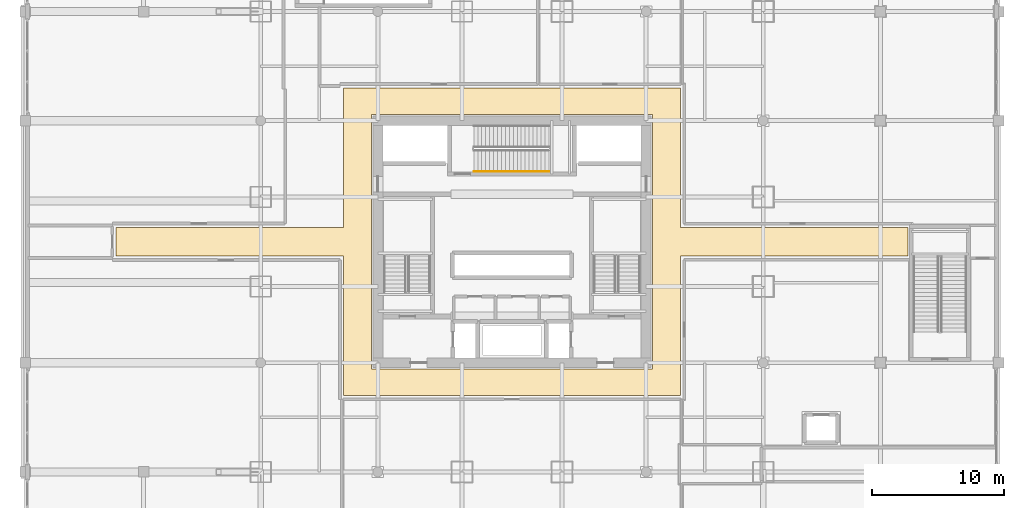
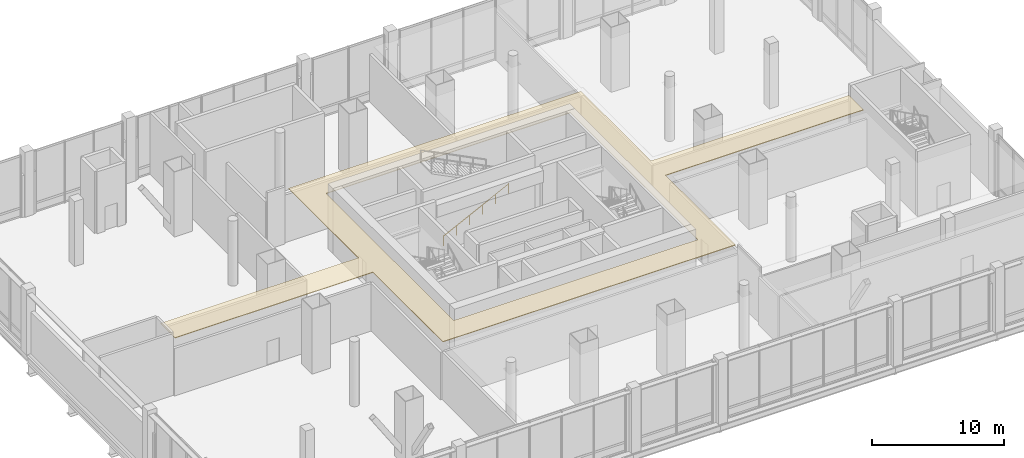
# One storey, part 34 of 38: 1 covering, 1 railing.
"""IFC4 building model written with IfcOpenShell, lengths in metres."""

from ifc_helpers import new_model, si_unit, direction, frame, origin, origin_2d, place, context, subcontext, project, spatial, polyline, circle, outline, extrude, material, layer, layer_set, type_object, element, save


model = new_model("IFC4")

# Units and contexts
model_context = context("Model", 3, precision=1e-05, world=origin(), true_north=direction((0.0, 1.0)))
body_context = subcontext(model_context, "Body", "Model", "MODEL_VIEW")
ifc_project = project(units=[si_unit("LENGTHUNIT", "METRE"), si_unit("AREAUNIT", "SQUARE_METRE"), si_unit("VOLUMEUNIT", "CUBIC_METRE"), si_unit("PLANEANGLEUNIT", "RADIAN"), si_unit("MASSUNIT", "GRAM", prefix="KILO")], contexts=[model_context])

# Site, building, storey
site_placement = place(None, origin())
site = spatial("IfcSite", under=ifc_project, at=site_placement, CompositionType="ELEMENT")
building_placement = place(site_placement, origin())
building = spatial("IfcBuilding", under=site, at=building_placement, Name="Punatoya Terracotta Tower", CompositionType="ELEMENT")
storey_placement = place(building_placement, frame((0.0, 0.0, 22.199951171875)))
storey = spatial("IfcBuildingStorey", under=building, at=storey_placement, Name="L04", CompositionType="ELEMENT", Elevation=22.199951171875)

# Covering
ifc_material_1 = material(Name="Acoustic Mineral Fibre Ceiling")
ifc_layer = layer(ifc_material_1, 0.06005859375)
ifc_layer_set = layer_set([ifc_layer], Name="Acoustic Mineral Fibre Ceiling")
covering_type = type_object("IfcCoveringType", Name="COV-CEIL-60", PredefinedType="CEILING", material=ifc_layer_set)
covering_placement = place(storey_placement, frame((0.0, 0.0, 5.010009765625)))
element("IfcCovering", 1, at=covering_placement, inside=storey, type_object=covering_type, Name="L04 Transfer Level Circulation Corridor Acoustic Ceiling", PredefinedType="CEILING", context=body_context, shape_type="SweptSolid", body=[
    extrude(outline(polyline([(12.800048828125, 11.699951171875), (-12.800048828125, 11.699951171875), (-12.800048828125, 1.10009765625), (-30.10009765625, 1.10009765625), (-30.10009765625, -1.10009765625), (-12.800048828125, -1.10009765625), (-12.800048828125, -11.699951171875), (12.800048828125, -11.699951171875), (12.800048828125, -1.10009765625), (30.10009765625, -1.10009765625), (30.10009765625, 1.10009765625), (12.800048828125, 1.10009765625), (12.800048828125, 11.699951171875)]), holes=[polyline([(10.679931640625, 9.679931640625), (10.679931640625, -9.679931640625), (-10.679931640625, -9.679931640625), (-10.679931640625, 9.679931640625), (10.679931640625, 9.679931640625)])]), origin(), (0.0, 0.0, 1.0), 0.06005859375),
])

# Railing
ifc_material_2 = material(Name="Steel S355", Category="steel")
railing_type = type_object("IfcRailingType", Name="RLG-HND-900", PredefinedType="HANDRAIL", material=ifc_material_2)
railing_placement = place(storey_placement, frame((-2.89990234375, 5.35009765625, 0.150146484375)))
element("IfcRailing", 2, at=railing_placement, inside=storey, type_object=railing_type, Name="L04 ST-3 stair handrail 1", PredefinedType="HANDRAIL", context=body_context, shape_type="SweptSolid", body=[
    extrude(circle(Radius=0.02392578125, at=origin_2d()), frame((0.0, 0.0, 0.8759765625), z_axis=(0.894434852965, 0.0, 0.447198271241), x_axis=(0.0, 1.0, 0.0)), (0.0, 0.0, 1.0), 6.372802734375),
    extrude(circle(Radius=0.02099609375, at=origin_2d()), origin(), (0.0, 0.0, 1.0), 0.851806640625),
    extrude(circle(Radius=0.02099609375, at=origin_2d()), frame((1.139892578125, 0.0, 0.570068359375)), (0.0, 0.0, 1.0), 0.851806640625),
    extrude(circle(Radius=0.02099609375, at=origin_2d()), frame((2.280029296875, 0.0, 1.139892578125)), (0.0, 0.0, 1.0), 0.851806640625),
    extrude(circle(Radius=0.02099609375, at=origin_2d()), frame((3.419921875, 0.0, 1.7099609375)), (0.0, 0.0, 1.0), 0.851806640625),
    extrude(circle(Radius=0.02099609375, at=origin_2d()), frame((4.56005859375, 0.0, 2.27978515625)), (0.0, 0.0, 1.0), 0.851806640625),
    extrude(circle(Radius=0.02099609375, at=origin_2d()), frame((5.699951171875, 0.0, 2.849853515625)), (0.0, 0.0, 1.0), 0.851806640625),
])

save(model, "model.ifc")
